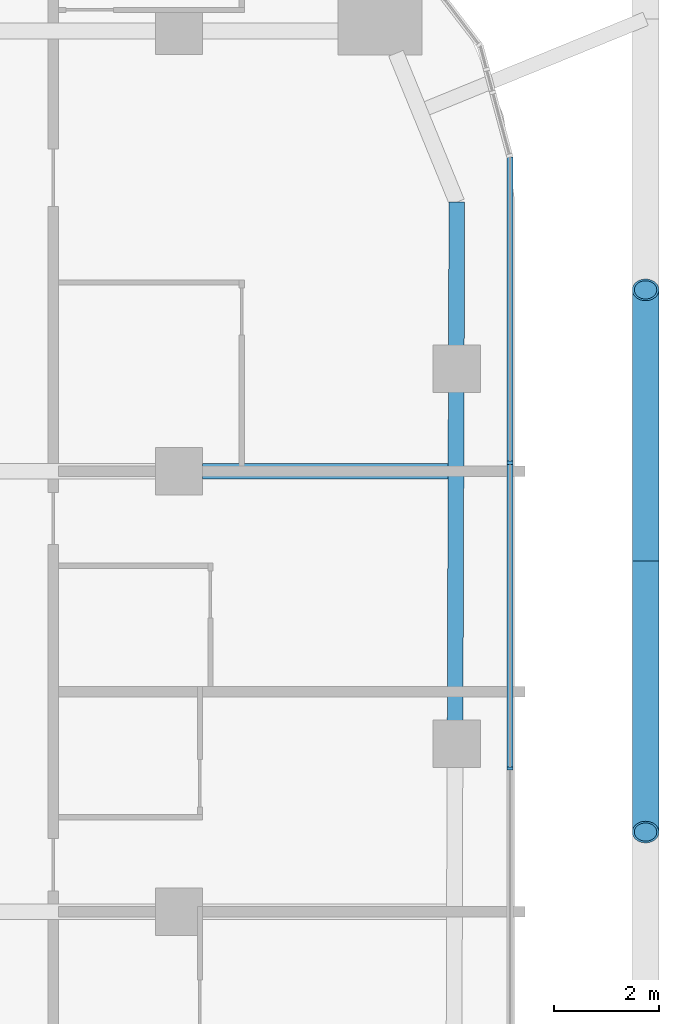
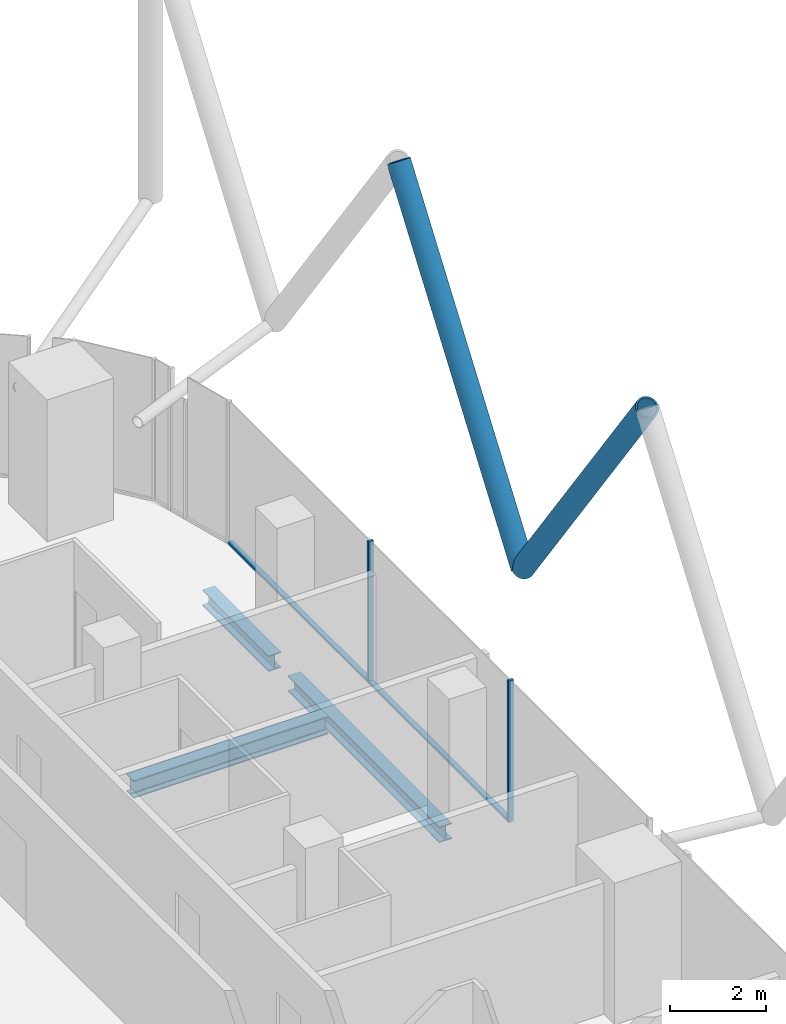
# One storey, part 13 of 36: 6 members, 3 beams, 1 element without a shape of its own.
"""IFC4 building model written with IfcOpenShell, lengths in metres."""

from ifc_helpers import new_model, si_unit, direction, frame, origin, origin_2d, place, context, subcontext, project, spatial, rectangle, hollow_circle, i_section, extrude, material, layer, layer_set, material_profile, profile_set, type_object, element, aggregate, save


model = new_model("IFC4")

# Units and contexts
model_context = context("Model", 3, precision=1e-05, world=origin(), true_north=direction((0.0, 1.0)))
body_context = subcontext(model_context, "Body", "Model", "MODEL_VIEW")
ifc_project = project(units=[si_unit("LENGTHUNIT", "METRE"), si_unit("AREAUNIT", "SQUARE_METRE"), si_unit("VOLUMEUNIT", "CUBIC_METRE"), si_unit("PLANEANGLEUNIT", "RADIAN"), si_unit("MASSUNIT", "GRAM", prefix="KILO")], contexts=[model_context])

# Site, building, storey
site_placement = place(None, origin())
site = spatial("IfcSite", under=ifc_project, at=site_placement, CompositionType="ELEMENT")
building_placement = place(site_placement, origin())
building = spatial("IfcBuilding", under=site, at=building_placement, Name="Marenta Gate Hotel Tower", CompositionType="ELEMENT")
storey_placement = place(building_placement, frame((0.0, 0.0, 144.5)))
storey = spatial("IfcBuildingStorey", under=building, at=storey_placement, Name="L33", CompositionType="ELEMENT", Elevation=144.5)

# Members
ifc_material_1 = material(Name="Steel S355J2W", Category="steel")
ifc_material_profile_1 = material_profile(ifc_material_1, hollow_circle(Radius=0.25390625, WallThickness=0.0400390625, at=origin_2d()), Name="CHS 508x40")
ifc_profile_set_1 = profile_set([ifc_material_profile_1], Name="Steel S355J2W")
member_type_1 = type_object("IfcMemberType", Name="Diagrid diagonal Z2 CHS 508x40", PredefinedType="BRACE", material=ifc_profile_set_1)
member_1_placement = place(storey_placement, frame((29.89990234375, 15.090087890625, 3.139892578125), z_axis=(0.0, 0.583247791947, 0.812294289767), x_axis=(-1.0, 0.0, 0.0)))
element("IfcMember", 1, at=member_1_placement, inside=storey, type_object=member_type_1, Name="L33-DG-3", PredefinedType="BRACE", context=body_context, shape_type="SweptSolid", body=[
    extrude(hollow_circle(Radius=0.25390625, WallThickness=0.0400390625, at=origin_2d()), origin(), (0.0, 0.0, 1.0), 8.864013671875),
])
member_2_placement = place(storey_placement, frame((29.89990234375, 15.090087890625, 3.139892578125), z_axis=(0.0, -0.583265964901, 0.81228124082), x_axis=(1.0, 0.0, 0.0)))
element("IfcMember", 2, at=member_2_placement, inside=storey, type_object=member_type_1, Name="L33-DG-4", PredefinedType="BRACE", context=body_context, shape_type="SweptSolid", body=[
    extrude(hollow_circle(Radius=0.25390625, WallThickness=0.0400390625, at=origin_2d()), origin(), (0.0, 0.0, 1.0), 8.8642578125),
])

# Beams
ifc_material_2 = material(Name="Steel S355", Category="steel")
ifc_material_profile_2 = material_profile(ifc_material_2, i_section(OverallWidth=0.300048828125, OverallDepth=0.39990234375, WebThickness=0.013427734375, FlangeThickness=0.02392578125, FilletRadius=0.027099609375, at=origin_2d()), Name="HEB 400")
ifc_profile_set_2 = profile_set([ifc_material_profile_2], Name="Steel S355")
beam_type_1 = type_object("IfcBeamType", Name="Edge beam HEB 400", PredefinedType="SPANDREL", material=ifc_profile_set_2)
beam_1_placement = place(storey_placement, frame((26.300048828125, 21.9345703125, -0.4599609375), z_axis=(-0.003351542298, -0.999994383566, 0.0), x_axis=(0.999994383566, -0.003351542298, 0.0)))
element("IfcBeam", 3, at=beam_1_placement, inside=storey, type_object=beam_type_1, Name="L33-EB-22", PredefinedType="SPANDREL", context=body_context, shape_type="SweptSolid", body=[
    extrude(i_section(OverallWidth=0.300048828125, OverallDepth=0.39990234375, WebThickness=0.013427734375, FlangeThickness=0.02392578125, FilletRadius=0.027099609375, at=origin_2d()), origin(), (0.0, 0.0, 1.0), 2.76806640625),
])
beam_2_placement = place(storey_placement, frame((26.2880859375, 18.346435546875, -0.4599609375), z_axis=(-0.00335374545, -0.99999437618, 0.0), x_axis=(0.99999437618, -0.00335374545, 0.0)))
element("IfcBeam", 4, at=beam_2_placement, inside=storey, type_object=beam_type_1, Name="L33-EB-23", PredefinedType="SPANDREL", context=body_context, shape_type="SweptSolid", body=[
    extrude(i_section(OverallWidth=0.300048828125, OverallDepth=0.39990234375, WebThickness=0.013427734375, FlangeThickness=0.02392578125, FilletRadius=0.027099609375, at=origin_2d()), origin(), (0.0, 0.0, 1.0), 6.333251953125),
])
ifc_material_3 = material(Name="Steel S355", Category="steel")
ifc_material_profile_3 = material_profile(ifc_material_3, i_section(OverallWidth=0.300048828125, OverallDepth=0.449951171875, WebThickness=0.013916015625, FlangeThickness=0.02587890625, FilletRadius=0.027099609375, at=origin_2d()), Name="HEB 450")
ifc_profile_set_3 = profile_set([ifc_material_profile_3], Name="Steel S355")
beam_type_2 = type_object("IfcBeamType", Name="Girder HEB 450", PredefinedType="BEAM", material=ifc_profile_set_3)
beam_3_placement = place(storey_placement, frame((21.449951171875, 16.800048828125, -0.485107421875), z_axis=(1.0, 0.0, 0.0), x_axis=(0.0, 1.0, 0.0)))
element("IfcBeam", 5, at=beam_3_placement, inside=storey, type_object=beam_type_2, Name="L33-GD-28", PredefinedType="BEAM", context=body_context, shape_type="SweptSolid", body=[
    extrude(i_section(OverallWidth=0.300048828125, OverallDepth=0.449951171875, WebThickness=0.013916015625, FlangeThickness=0.02587890625, FilletRadius=0.027099609375, at=origin_2d()), origin(), (0.0, 0.0, 1.0), 4.682861328125),
])

# Curtain wall, members
ifc_material_4 = material(Name="Tinted insulated glass in bronze anodised frame", Category="glass")
ifc_layer = layer(ifc_material_4, 0.1201171875)
ifc_layer_set = layer_set([ifc_layer], Name="Tinted insulated glass in bronze anodised frame")
curtain_wall_type = type_object("IfcCurtainWallType", Name="Tower unitised curtain wall CW1", PredefinedType="NOTDEFINED", material=ifc_layer_set)
curtain_wall_placement = place(storey_placement, origin())
curtain_wall = element("IfcCurtainWall", 6, at=curtain_wall_placement, inside=storey, type_object=curtain_wall_type, Name="CW1 run G35", PredefinedType="NOTDEFINED")
ifc_material_5 = material(Name="Bronze anodised aluminium", Category="aluminium")
ifc_material_profile_4 = material_profile(ifc_material_5, rectangle(XDim=0.1201171875, YDim=0.06005859375, at=origin_2d()), Name="Mullion CW1 60x120 bronze anodised aluminium")
ifc_profile_set_4 = profile_set([ifc_material_profile_4], Name="Bronze anodised aluminium")
member_type_2 = type_object("IfcMemberType", Name="Mullion CW1 60x120 bronze anodised aluminium", PredefinedType="MULLION", material=ifc_profile_set_4)
member_3_placement = place(storey_placement, frame((27.31396484375, 11.133056640625, 0.0), z_axis=(0.0, 0.0, 1.0), x_axis=(-1.0, 0.0, 0.0)))
member_3 = element("IfcMember", 7, at=member_3_placement, type_object=member_type_2, Name="CW1 mullion 2", PredefinedType="MULLION", context=body_context, shape_type="SweptSolid", body=[
    extrude(rectangle(XDim=0.1201171875, YDim=0.06005859375, at=origin_2d()), origin(), (0.0, 0.0, 1.0), 3.60009765625),
])
member_4_placement = place(storey_placement, frame((27.31396484375, 16.96240234375, 0.0), z_axis=(0.0, 0.0, 1.0), x_axis=(-1.0, 0.0, 0.0)))
member_4 = element("IfcMember", 8, at=member_4_placement, type_object=member_type_2, Name="CW1 mullion 3", PredefinedType="MULLION", context=body_context, shape_type="SweptSolid", body=[
    extrude(rectangle(XDim=0.1201171875, YDim=0.06005859375, at=origin_2d()), origin(), (0.0, 0.0, 1.0), 3.60009765625),
])
ifc_material_6 = material(Name="Bronze anodised aluminium", Category="aluminium")
ifc_material_profile_5 = material_profile(ifc_material_6, rectangle(XDim=0.1201171875, YDim=0.06005859375, at=origin_2d()), Name="Transom CW1 60x120 bronze anodised aluminium")
ifc_profile_set_5 = profile_set([ifc_material_profile_5], Name="Bronze anodised aluminium")
member_type_3 = type_object("IfcMemberType", Name="Transom CW1 60x120 bronze anodised aluminium", PredefinedType="USERDEFINED", material=ifc_profile_set_5)
member_5_placement = place(storey_placement, frame((27.31396484375, 11.1630859375, 0.030029296875), z_axis=(0.0, 1.0, 0.0), x_axis=(-1.0, 0.0, 0.0)))
member_5 = element("IfcMember", 9, at=member_5_placement, type_object=member_type_3, Name="CW1 transom 2.1", ObjectType="TRANSOM", PredefinedType="USERDEFINED", context=body_context, shape_type="SweptSolid", body=[
    extrude(rectangle(XDim=0.1201171875, YDim=0.06005859375, at=origin_2d()), origin(), (0.0, 0.0, 1.0), 5.76953125),
])
member_6_placement = place(storey_placement, frame((27.31396484375, 16.992431640625, 0.030029296875), z_axis=(0.0, 1.0, 0.0), x_axis=(-1.0, 0.0, 0.0)))
member_6 = element("IfcMember", 10, at=member_6_placement, type_object=member_type_3, Name="CW1 transom 3.1", ObjectType="TRANSOM", PredefinedType="USERDEFINED", context=body_context, shape_type="SweptSolid", body=[
    extrude(rectangle(XDim=0.1201171875, YDim=0.06005859375, at=origin_2d()), origin(), (0.0, 0.0, 1.0), 5.799560546875),
])
aggregate(curtain_wall, [member_3, member_4, member_5, member_6])

save(model, "model.ifc")
